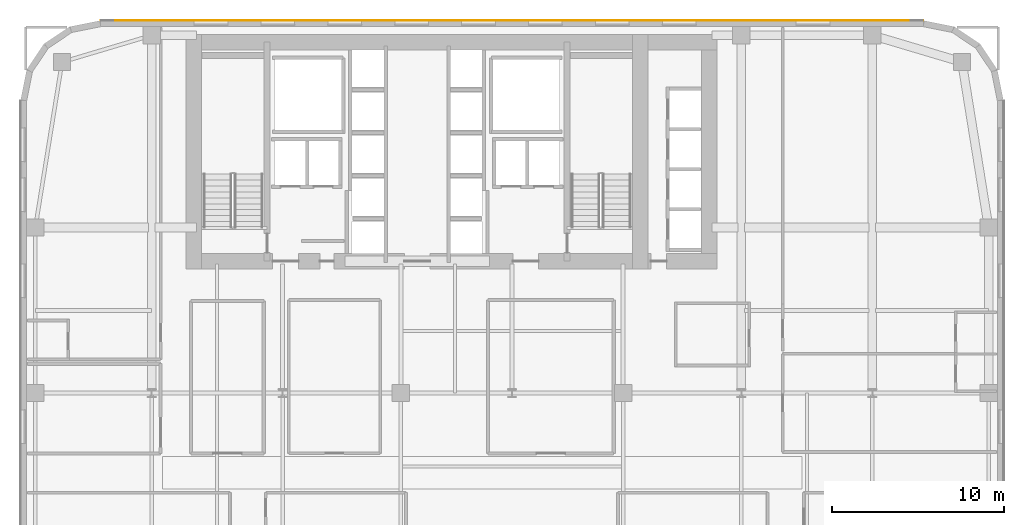
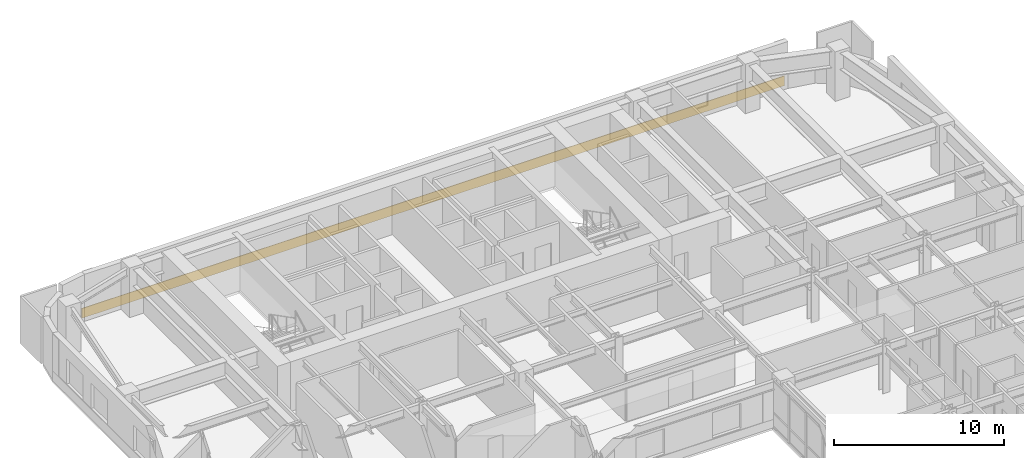
# One storey, part 23 of 24: 1 covering.
"""IFC4 building model written with IfcOpenShell, lengths in metres."""

from ifc_helpers import new_model, si_unit, direction, frame, origin, place, context, subcontext, project, spatial, polyline, outline, extrude, material, layer, layer_set, type_object, element, save


model = new_model("IFC4")

# Units and contexts
model_context = context("Model", 3, precision=1e-05, world=origin(), true_north=direction((0.0, 1.0)))
body_context = subcontext(model_context, "Body", "Model", "MODEL_VIEW")
ifc_project = project(units=[si_unit("LENGTHUNIT", "METRE"), si_unit("AREAUNIT", "SQUARE_METRE"), si_unit("VOLUMEUNIT", "CUBIC_METRE"), si_unit("PLANEANGLEUNIT", "RADIAN"), si_unit("MASSUNIT", "GRAM", prefix="KILO")], contexts=[model_context])

# Site, building, storey
site_placement = place(None, origin())
site = spatial("IfcSite", under=ifc_project, at=site_placement, CompositionType="ELEMENT")
building_placement = place(site_placement, origin())
building = spatial("IfcBuilding", under=site, at=building_placement, Name="Tolvann Quenvar Hotel", CompositionType="ELEMENT")
storey_placement = place(building_placement, frame((0.0, 0.0, 67.5)))
storey = spatial("IfcBuildingStorey", under=building, at=storey_placement, Name="L16", CompositionType="ELEMENT", Elevation=67.5)

# Covering
ifc_material = material(Name="Moulded buff architectural terracotta spandrel cladding", Category="masonry")
ifc_layer = layer(ifc_material, 0.0400390625)
ifc_layer_set = layer_set([ifc_layer], Name="Moulded buff architectural terracotta spandrel cladding")
covering_type = type_object("IfcCoveringType", Name="COV_CLAD_TERRA_40", PredefinedType="CLADDING", material=ifc_layer_set)
covering_placement = place(storey_placement, origin())
element("IfcCovering", 1, at=covering_placement, inside=storey, type_object=covering_type, Name="Terracotta Spandrel Cladding (L16-E18)", PredefinedType="CLADDING", context=body_context, shape_type="SweptSolid", body=[
    extrude(outline(polyline([(52.3427734375, 46.0), (4.6572265625, 46.0), (4.6572265625, 46.0400390625), (52.3427734375, 46.0400390625), (52.3427734375, 46.0)])), origin(), (0.0, 0.0, 1.0), 0.699951171875),
])

save(model, "model.ifc")
